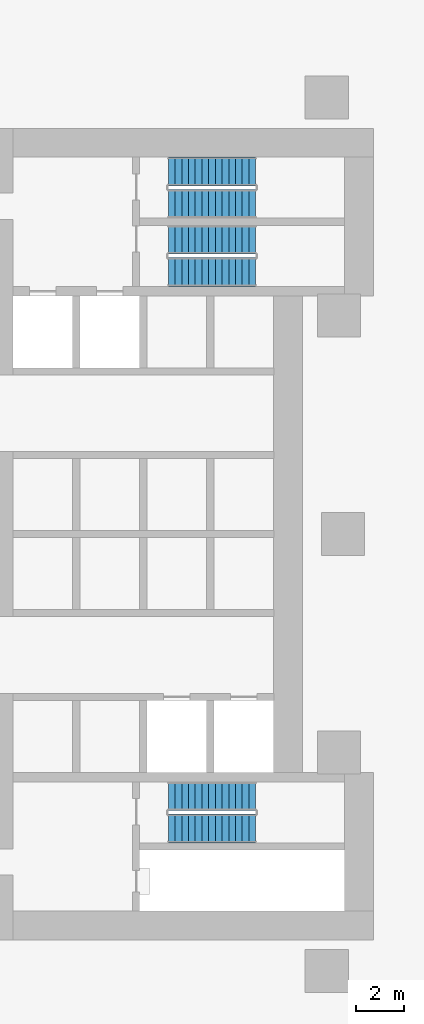
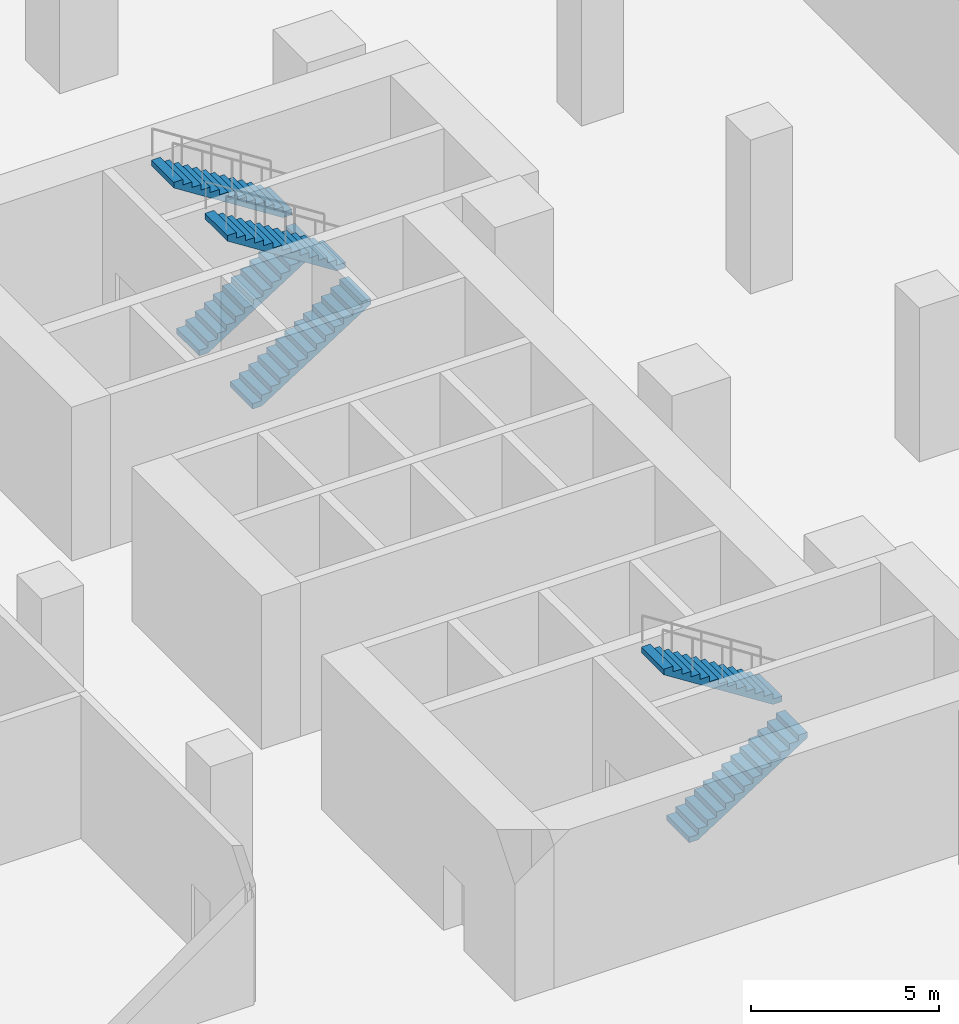
# One storey, part 6 of 9: 6 stair flights, 3 elements without a shape of their own.
"""IFC4 building model written with IfcOpenShell, lengths in metres."""

import ifcopenshell
import ifcopenshell.guid

model = None  # the IFC model being written
_history = None  # IfcOwnerHistory: only IFC2X3 demands one
_inside = {}  # id of a spatial element -> (the spatial element, [elements in it])
_under = {}  # id of a project, library or spatial element -> (it, [spatial elements below it])
_declared = {}  # id of a project -> (the project, [libraries it declares])
_typed = {}  # id of a type object -> (the type object, [elements of that type])
_made_of = {}  # id of a material, layer set ... -> (it, [elements and type objects made of it])


def new_model(schema):
    """Start an empty IFC model of exactly this schema.

    Asked for "IFC4X3", IfcOpenShell would pick the latest addendum, in which some entities
    have other attributes; the version numbers below select the first issue.
    IFC2X3 requires an IfcOwnerHistory on every rooted entity: one is made here for all.
    """
    global model, _history
    if schema == "IFC4X3":
        model = ifcopenshell.file(schema_version=(4, 3, 0, 0))
    else:
        model = ifcopenshell.file(schema=schema)
    _inside.clear()
    _under.clear()
    _declared.clear()
    _typed.clear()
    _made_of.clear()
    _history = None
    if model.schema == "IFC2X3":
        org = make("IfcOrganization", Name="unknown")
        user = make(
            "IfcPersonAndOrganization",
            ThePerson=make("IfcPerson", FamilyName="unknown"),
            TheOrganization=org,
        )
        app = make(
            "IfcApplication",
            ApplicationDeveloper=org,
            Version="unknown",
            ApplicationFullName="unknown",
            ApplicationIdentifier="unknown",
        )
        _history = make(
            "IfcOwnerHistory",
            OwningUser=user,
            OwningApplication=app,
            ChangeAction="ADDED",
            CreationDate=0,
        )
    return model


def make(cls, **values):
    """One entity of the class cls with the attributes given. An attribute that is None is left unset."""
    return model.create_entity(
        cls, **{name: value for name, value in values.items() if value is not None}
    )


def rooted(cls, **values):
    """An entity with a GlobalId (a new one), such as an element, a storey or a relation."""
    return make(cls, GlobalId=ifcopenshell.guid.new(), OwnerHistory=_history, **values)


def si_unit(unit_type, name, prefix=None):
    """IfcSIUnit, for example si_unit("LENGTHUNIT", "METRE", prefix="MILLI")."""
    return make("IfcSIUnit", UnitType=unit_type, Prefix=prefix, Name=name)


def assignment(units):
    """IfcUnitAssignment: the units of a project."""
    return None if units is None else make("IfcUnitAssignment", Units=units)


def point(xyz):
    """IfcCartesianPoint."""
    return None if xyz is None else make("IfcCartesianPoint", Coordinates=xyz)


def direction(xyz):
    """IfcDirection."""
    return None if xyz is None else make("IfcDirection", DirectionRatios=xyz)


def frame(location, z_axis=None, x_axis=None):
    """IfcAxis2Placement3D, a coordinate frame: its origin and axes. An axis left out is left unset."""
    return make(
        "IfcAxis2Placement3D",
        Location=point(location),
        Axis=direction(z_axis),
        RefDirection=direction(x_axis),
    )


def origin():
    """The frame at (0, 0, 0) with its axes left unset."""
    return frame((0.0, 0.0, 0.0))


def place(relative_to, where):
    """IfcLocalPlacement: puts the frame where relative to a parent placement (None: the world)."""
    return make(
        "IfcLocalPlacement", PlacementRelTo=relative_to, RelativePlacement=where
    )


def context(
    kind, dimensions, precision=None, world=None, true_north=None, identifier=None
):
    """IfcGeometricRepresentationContext, for example the 3D "Model" context."""
    return make(
        "IfcGeometricRepresentationContext",
        ContextIdentifier=identifier,
        ContextType=kind,
        CoordinateSpaceDimension=dimensions,
        Precision=precision,
        WorldCoordinateSystem=world,
        TrueNorth=true_north,
    )


def subcontext(parent, identifier, kind, view, scale=None):
    """IfcGeometricRepresentationSubContext, for example "Body" below "Model"."""
    return make(
        "IfcGeometricRepresentationSubContext",
        ContextIdentifier=identifier,
        ContextType=kind,
        ParentContext=parent,
        TargetScale=scale,
        TargetView=view,
    )


def project(units=None, contexts=None):
    """IfcProject with its units and contexts."""
    return rooted(
        "IfcProject",
        Name="project",
        RepresentationContexts=contexts,
        UnitsInContext=assignment(units),
    )


def spatial(cls, under=None, at=None, **own):
    """A site, building, storey or space (cls), placed at a placement, below another one or the project."""
    s = rooted(cls, ObjectPlacement=at, **own)
    if under is not None:
        _under.setdefault(under.id(), (under, []))[1].append(s)
    return s


def polyline(points):
    """IfcPolyline through the points."""
    return make("IfcPolyline", Points=[point(p) for p in points])


def outline(outer, holes=None, kind="AREA"):
    """IfcArbitraryClosedProfileDef: a profile drawn as a closed curve; with holes, ...WithVoids."""
    if holes is None:
        return make("IfcArbitraryClosedProfileDef", ProfileType=kind, OuterCurve=outer)
    return make(
        "IfcArbitraryProfileDefWithVoids",
        ProfileType=kind,
        OuterCurve=outer,
        InnerCurves=holes,
    )


def extrude(swept, where, along, depth):
    """IfcExtrudedAreaSolid: the profile swept, set in the frame where, extruded along a direction by depth."""
    return make(
        "IfcExtrudedAreaSolid",
        SweptArea=swept,
        Position=where,
        ExtrudedDirection=direction(along),
        Depth=depth,
    )


def shape(context_of_items, identifier, shape_type, items):
    """IfcShapeRepresentation: the items that make up one representation, for example the "Body"."""
    return make(
        "IfcShapeRepresentation",
        ContextOfItems=context_of_items,
        RepresentationIdentifier=identifier,
        RepresentationType=shape_type,
        Items=items,
    )


def material(Name=None, Category=None):
    """IfcMaterial."""
    return make("IfcMaterial", Name=Name, Category=Category)


def made_of(thing, what):
    """Note that an element or type object is made of a material, layer set ...; save() writes the relation."""
    if what is not None:
        _made_of.setdefault(what.id(), (what, []))[1].append(thing)
    return thing


def type_object(cls, material=None, **own):
    """A type object (cls), such as IfcWallType, which elements share."""
    return made_of(rooted(cls, **own), material)


def element(
    cls,
    number,
    at=None,
    inside=None,
    cuts=None,
    type_object=None,
    material=None,
    context=None,
    identifier="Body",
    shape_type=None,
    held_by="IfcProductDefinitionShape",
    body=None,
    shapes=None,
    **own,
):
    """One element of the class cls, such as IfcWall. Its Tag is "e" and its number.

    at: its placement. inside: the storey or other place that contains it. cuts: it is an
    opening in that element (IfcRelVoidsElement). A single representation is given by context,
    identifier, shape_type and body (its items); several are given by shapes. held_by: the class
    of the entity that holds the representations. save() writes the other relations.
    """
    e = rooted(cls, Tag="e%d" % number, ObjectPlacement=at, **own)
    if body is not None:
        shapes = [shape(context, identifier, shape_type, body)]
    if shapes is not None:
        e.Representation = make(held_by, Representations=shapes)
    if inside is not None:
        _inside.setdefault(inside.id(), (inside, []))[1].append(e)
    if cuts is not None:
        rooted(
            "IfcRelVoidsElement", RelatingBuildingElement=cuts, RelatedOpeningElement=e
        )
    if type_object is not None:
        _typed.setdefault(type_object.id(), (type_object, []))[1].append(e)
    return made_of(e, material)


def aggregate(whole, parts):
    """IfcRelAggregates: a whole, such as a stair, and the parts it consists of."""
    return rooted("IfcRelAggregates", RelatingObject=whole, RelatedObjects=parts)


def save(model, path):
    """Write the relations noted so far, then the file.

    IfcRelAggregates (storeys below a building ...), IfcRelContainedInSpatialStructure (elements
    in a storey), IfcRelDefinesByType, IfcRelAssociatesMaterial and IfcRelDeclares: one each for
    every whole, place, type object, material and project.
    """
    for whole, parts in _under.values():
        aggregate(whole, parts)
    for where, things in _inside.values():
        rooted(
            "IfcRelContainedInSpatialStructure",
            RelatedElements=things,
            RelatingStructure=where,
        )
    for kind, things in _typed.values():
        rooted("IfcRelDefinesByType", RelatedObjects=things, RelatingType=kind)
    for what, things in _made_of.values():
        rooted("IfcRelAssociatesMaterial", RelatedObjects=things, RelatingMaterial=what)
    for by, libraries in _declared.values():
        rooted("IfcRelDeclares", RelatingContext=by, RelatedDefinitions=libraries)
    model.write(path)


model = new_model("IFC4")

# Units and contexts
model_context = context("Model", 3, precision=1e-05, world=origin(), true_north=direction((0.0, 1.0)))
body_context = subcontext(model_context, "Body", "Model", "MODEL_VIEW")
ifc_project = project(units=[si_unit("LENGTHUNIT", "METRE"), si_unit("AREAUNIT", "SQUARE_METRE"), si_unit("VOLUMEUNIT", "CUBIC_METRE"), si_unit("PLANEANGLEUNIT", "RADIAN"), si_unit("MASSUNIT", "GRAM", prefix="KILO")], contexts=[model_context])

# Site, building, storey
site_placement = place(None, origin())
site = spatial("IfcSite", under=ifc_project, at=site_placement, CompositionType="ELEMENT")
building_placement = place(site_placement, origin())
building = spatial("IfcBuilding", under=site, at=building_placement, Name="Ostrand Prow Hotel Tower", CompositionType="ELEMENT")
storey_placement = place(building_placement, frame((0.0, 0.0, -5.0)))
storey = spatial("IfcBuildingStorey", under=building, at=storey_placement, Name="B1", CompositionType="ELEMENT", Elevation=-5.0)

# Stair, stair flights
ifc_material_1 = material(Name="Concrete C40/50", Category="concrete")
stair_type = type_object("IfcStairType", Name="Exit stair 1200 lower zone", PredefinedType="HALF_TURN_STAIR", material=ifc_material_1)
stair_1_placement = place(storey_placement, origin())
stair_1 = element("IfcStair", 1, at=stair_1_placement, inside=storey, type_object=stair_type, Name="B1 ST1A", PredefinedType="HALF_TURN_STAIR")
ifc_material_2 = material(Name="Concrete C40/50", Category="concrete")
stair_flight_type = type_object("IfcStairFlightType", Name="Stair flight 1200 concrete", PredefinedType="STRAIGHT", material=ifc_material_2)
stair_flight_1_placement = place(storey_placement, frame((57.199951171875, 10.949951171875, 0.0), z_axis=(0.0, 0.0, 1.0), x_axis=(1.0, 0.0, 0.0)))
stair_flight_1 = element("IfcStairFlight", 2, at=stair_flight_1_placement, type_object=stair_flight_type, Name="ST1A flight 1", NumberOfRisers=14, NumberOfTreads=13, PredefinedType="STRAIGHT", RiserHeight=0.178571429, TreadLength=0.28, context=body_context, shape_type="SweptSolid", body=[
    extrude(outline(polyline([(0.0, 0.0), (0.0, 0.178466796875), (0.280029296875, 0.178466796875), (0.280029296875, 0.357177734375), (0.56005859375, 0.357177734375), (0.56005859375, 0.53564453125), (0.840087890625, 0.53564453125), (0.840087890625, 0.71435546875), (1.1201171875, 0.71435546875), (1.1201171875, 0.892822265625), (1.39990234375, 0.892822265625), (1.39990234375, 1.071533203125), (1.679931640625, 1.071533203125), (1.679931640625, 1.25), (1.9599609375, 1.25), (1.9599609375, 1.428466796875), (2.239990234375, 1.428466796875), (2.239990234375, 1.607177734375), (2.52001953125, 1.607177734375), (2.52001953125, 1.78564453125), (2.800048828125, 1.78564453125), (2.800048828125, 1.96435546875), (3.080078125, 1.96435546875), (3.080078125, 2.142822265625), (3.360107421875, 2.142822265625), (3.360107421875, 2.321533203125), (3.639892578125, 2.321533203125), (3.639892578125, 2.5), (3.639892578125, 2.1435546875), (0.27880859375, 0.0), (0.0, 0.0)])), frame((0.0, 0.60009765625, 0.0), z_axis=(0.0, -1.0, 0.0), x_axis=(1.0, 0.0, 0.0)), (0.0, 0.0, 1.0), 1.199951171875),
])
stair_flight_2_placement = place(storey_placement, frame((60.840087890625, 12.300048828125, 2.5), z_axis=(0.0, 0.0, 1.0), x_axis=(-1.0, 0.0, 0.0)))
stair_flight_2 = element("IfcStairFlight", 3, at=stair_flight_2_placement, type_object=stair_flight_type, Name="ST1A flight 2", NumberOfRisers=14, NumberOfTreads=13, PredefinedType="STRAIGHT", RiserHeight=0.178571429, TreadLength=0.28, context=body_context, shape_type="SweptSolid", body=[
    extrude(outline(polyline([(0.0, 0.0), (0.0, 0.178466796875), (0.280029296875, 0.178466796875), (0.280029296875, 0.357177734375), (0.56005859375, 0.357177734375), (0.56005859375, 0.53564453125), (0.840087890625, 0.53564453125), (0.840087890625, 0.71435546875), (1.1201171875, 0.71435546875), (1.1201171875, 0.892822265625), (1.39990234375, 0.892822265625), (1.39990234375, 1.071533203125), (1.679931640625, 1.071533203125), (1.679931640625, 1.25), (1.9599609375, 1.25), (1.9599609375, 1.428466796875), (2.239990234375, 1.428466796875), (2.239990234375, 1.607177734375), (2.52001953125, 1.607177734375), (2.52001953125, 1.78564453125), (2.800048828125, 1.78564453125), (2.800048828125, 1.96435546875), (3.080078125, 1.96435546875), (3.080078125, 2.142822265625), (3.360107421875, 2.142822265625), (3.360107421875, 2.321533203125), (3.639892578125, 2.321533203125), (3.639892578125, 2.5), (3.639892578125, 2.1435546875), (0.27880859375, 0.0), (0.0, 0.0)])), frame((0.0, 0.60009765625, 0.0), z_axis=(0.0, -1.0, 0.0), x_axis=(1.0, 0.0, 0.0)), (0.0, 0.0, 1.0), 1.199951171875),
])
aggregate(stair_1, [stair_flight_1, stair_flight_2])

stair_2_placement = place(storey_placement, origin())
stair_2 = element("IfcStair", 4, at=stair_2_placement, inside=storey, type_object=stair_type, Name="B1 ST3A", PredefinedType="HALF_TURN_STAIR")
stair_flight_3_placement = place(storey_placement, frame((57.199951171875, 13.800048828125, 0.0), z_axis=(0.0, 0.0, 1.0), x_axis=(1.0, 0.0, 0.0)))
stair_flight_3 = element("IfcStairFlight", 5, at=stair_flight_3_placement, type_object=stair_flight_type, Name="ST3A flight 1", NumberOfRisers=14, NumberOfTreads=13, PredefinedType="STRAIGHT", RiserHeight=0.178571429, TreadLength=0.28, context=body_context, shape_type="SweptSolid", body=[
    extrude(outline(polyline([(0.0, 0.0), (0.0, 0.178466796875), (0.280029296875, 0.178466796875), (0.280029296875, 0.357177734375), (0.56005859375, 0.357177734375), (0.56005859375, 0.53564453125), (0.840087890625, 0.53564453125), (0.840087890625, 0.71435546875), (1.1201171875, 0.71435546875), (1.1201171875, 0.892822265625), (1.39990234375, 0.892822265625), (1.39990234375, 1.071533203125), (1.679931640625, 1.071533203125), (1.679931640625, 1.25), (1.9599609375, 1.25), (1.9599609375, 1.428466796875), (2.239990234375, 1.428466796875), (2.239990234375, 1.607177734375), (2.52001953125, 1.607177734375), (2.52001953125, 1.78564453125), (2.800048828125, 1.78564453125), (2.800048828125, 1.96435546875), (3.080078125, 1.96435546875), (3.080078125, 2.142822265625), (3.360107421875, 2.142822265625), (3.360107421875, 2.321533203125), (3.639892578125, 2.321533203125), (3.639892578125, 2.5), (3.639892578125, 2.1435546875), (0.27880859375, 0.0), (0.0, 0.0)])), frame((0.0, 0.60009765625, 0.0), z_axis=(0.0, -1.0, 0.0), x_axis=(1.0, 0.0, 0.0)), (0.0, 0.0, 1.0), 1.199951171875),
])
stair_flight_4_placement = place(storey_placement, frame((60.840087890625, 15.14990234375, 2.5), z_axis=(0.0, 0.0, 1.0), x_axis=(-1.0, 0.0, 0.0)))
stair_flight_4 = element("IfcStairFlight", 6, at=stair_flight_4_placement, type_object=stair_flight_type, Name="ST3A flight 2", NumberOfRisers=14, NumberOfTreads=13, PredefinedType="STRAIGHT", RiserHeight=0.178571429, TreadLength=0.28, context=body_context, shape_type="SweptSolid", body=[
    extrude(outline(polyline([(0.0, 0.0), (0.0, 0.178466796875), (0.280029296875, 0.178466796875), (0.280029296875, 0.357177734375), (0.56005859375, 0.357177734375), (0.56005859375, 0.53564453125), (0.840087890625, 0.53564453125), (0.840087890625, 0.71435546875), (1.1201171875, 0.71435546875), (1.1201171875, 0.892822265625), (1.39990234375, 0.892822265625), (1.39990234375, 1.071533203125), (1.679931640625, 1.071533203125), (1.679931640625, 1.25), (1.9599609375, 1.25), (1.9599609375, 1.428466796875), (2.239990234375, 1.428466796875), (2.239990234375, 1.607177734375), (2.52001953125, 1.607177734375), (2.52001953125, 1.78564453125), (2.800048828125, 1.78564453125), (2.800048828125, 1.96435546875), (3.080078125, 1.96435546875), (3.080078125, 2.142822265625), (3.360107421875, 2.142822265625), (3.360107421875, 2.321533203125), (3.639892578125, 2.321533203125), (3.639892578125, 2.5), (3.639892578125, 2.1435546875), (0.27880859375, 0.0), (0.0, 0.0)])), frame((0.0, 0.60009765625, 0.0), z_axis=(0.0, -1.0, 0.0), x_axis=(1.0, 0.0, 0.0)), (0.0, 0.0, 1.0), 1.199951171875),
])
aggregate(stair_2, [stair_flight_3, stair_flight_4])

stair_3_placement = place(storey_placement, origin())
stair_3 = element("IfcStair", 7, at=stair_3_placement, inside=storey, type_object=stair_type, Name="B1 ST2A", PredefinedType="HALF_TURN_STAIR")
stair_flight_5_placement = place(storey_placement, frame((57.199951171875, -12.300048828125, 0.0), z_axis=(0.0, 0.0, 1.0), x_axis=(1.0, 0.0, 0.0)))
stair_flight_5 = element("IfcStairFlight", 8, at=stair_flight_5_placement, type_object=stair_flight_type, Name="ST2A flight 1", NumberOfRisers=14, NumberOfTreads=13, PredefinedType="STRAIGHT", RiserHeight=0.178571429, TreadLength=0.28, context=body_context, shape_type="SweptSolid", body=[
    extrude(outline(polyline([(0.0, 0.0), (0.0, 0.178466796875), (0.280029296875, 0.178466796875), (0.280029296875, 0.357177734375), (0.56005859375, 0.357177734375), (0.56005859375, 0.53564453125), (0.840087890625, 0.53564453125), (0.840087890625, 0.71435546875), (1.1201171875, 0.71435546875), (1.1201171875, 0.892822265625), (1.39990234375, 0.892822265625), (1.39990234375, 1.071533203125), (1.679931640625, 1.071533203125), (1.679931640625, 1.25), (1.9599609375, 1.25), (1.9599609375, 1.428466796875), (2.239990234375, 1.428466796875), (2.239990234375, 1.607177734375), (2.52001953125, 1.607177734375), (2.52001953125, 1.78564453125), (2.800048828125, 1.78564453125), (2.800048828125, 1.96435546875), (3.080078125, 1.96435546875), (3.080078125, 2.142822265625), (3.360107421875, 2.142822265625), (3.360107421875, 2.321533203125), (3.639892578125, 2.321533203125), (3.639892578125, 2.5), (3.639892578125, 2.1435546875), (0.27880859375, 0.0), (0.0, 0.0)])), frame((0.0, 0.60009765625, 0.0), z_axis=(0.0, -1.0, 0.0), x_axis=(1.0, 0.0, 0.0)), (0.0, 0.0, 1.0), 1.199951171875),
])
stair_flight_6_placement = place(storey_placement, frame((60.840087890625, -10.949951171875, 2.5), z_axis=(0.0, 0.0, 1.0), x_axis=(-1.0, 0.0, 0.0)))
stair_flight_6 = element("IfcStairFlight", 9, at=stair_flight_6_placement, type_object=stair_flight_type, Name="ST2A flight 2", NumberOfRisers=14, NumberOfTreads=13, PredefinedType="STRAIGHT", RiserHeight=0.178571429, TreadLength=0.28, context=body_context, shape_type="SweptSolid", body=[
    extrude(outline(polyline([(0.0, 0.0), (0.0, 0.178466796875), (0.280029296875, 0.178466796875), (0.280029296875, 0.357177734375), (0.56005859375, 0.357177734375), (0.56005859375, 0.53564453125), (0.840087890625, 0.53564453125), (0.840087890625, 0.71435546875), (1.1201171875, 0.71435546875), (1.1201171875, 0.892822265625), (1.39990234375, 0.892822265625), (1.39990234375, 1.071533203125), (1.679931640625, 1.071533203125), (1.679931640625, 1.25), (1.9599609375, 1.25), (1.9599609375, 1.428466796875), (2.239990234375, 1.428466796875), (2.239990234375, 1.607177734375), (2.52001953125, 1.607177734375), (2.52001953125, 1.78564453125), (2.800048828125, 1.78564453125), (2.800048828125, 1.96435546875), (3.080078125, 1.96435546875), (3.080078125, 2.142822265625), (3.360107421875, 2.142822265625), (3.360107421875, 2.321533203125), (3.639892578125, 2.321533203125), (3.639892578125, 2.5), (3.639892578125, 2.1435546875), (0.27880859375, 0.0), (0.0, 0.0)])), frame((0.0, 0.60009765625, 0.0), z_axis=(0.0, -1.0, 0.0), x_axis=(1.0, 0.0, 0.0)), (0.0, 0.0, 1.0), 1.199951171875),
])
aggregate(stair_3, [stair_flight_5, stair_flight_6])

save(model, "model.ifc")
